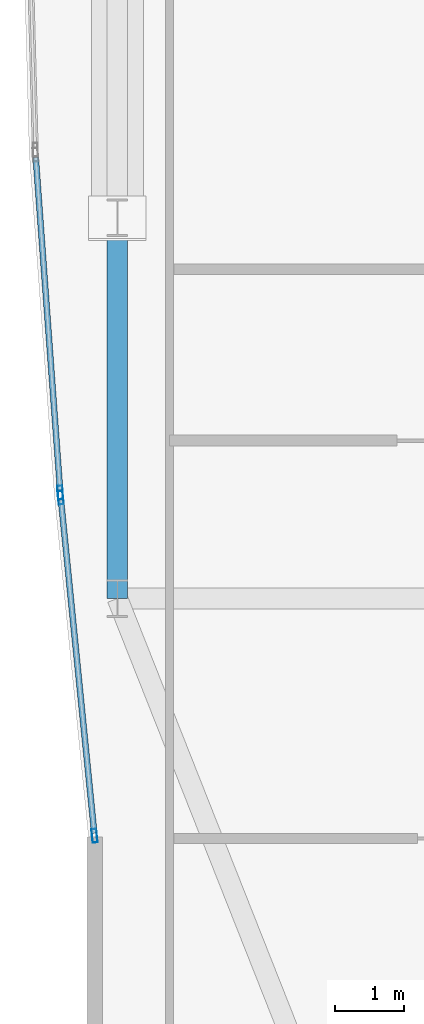
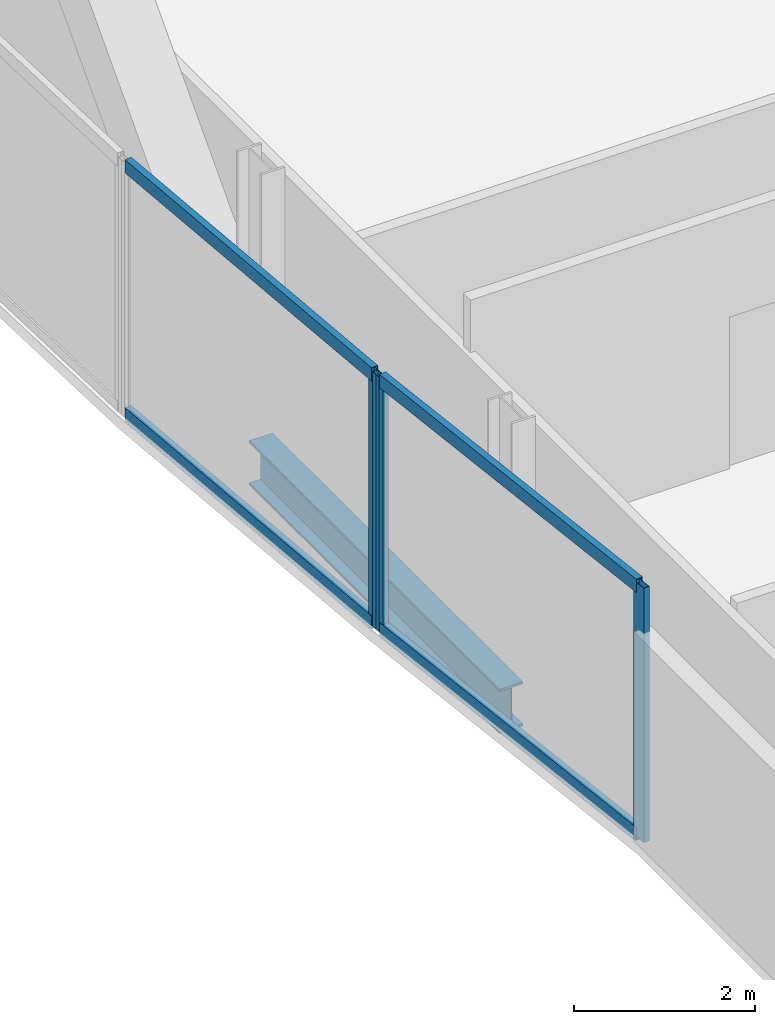
# One storey, part 6 of 31: 7 members, 1 beam, 2 elements without a shape of their own.
"""IFC4 building model written with IfcOpenShell, lengths in metres."""

from ifc_helpers import new_model, si_unit, direction, frame, origin, origin_2d, place, context, subcontext, project, spatial, hollow_rectangle, i_section, extrude, material, material_profile, profile_set, type_object, element, aggregate, save


model = new_model("IFC4")

# Units and contexts
model_context = context("Model", 3, precision=1e-05, world=origin(), true_north=direction((0.0, 1.0)))
body_context = subcontext(model_context, "Body", "Model", "MODEL_VIEW")
ifc_project = project(units=[si_unit("LENGTHUNIT", "METRE"), si_unit("AREAUNIT", "SQUARE_METRE"), si_unit("VOLUMEUNIT", "CUBIC_METRE"), si_unit("PLANEANGLEUNIT", "RADIAN"), si_unit("MASSUNIT", "GRAM", prefix="KILO")], contexts=[model_context])

# Site, building, storey
site_placement = place(None, origin())
site = spatial("IfcSite", under=ifc_project, at=site_placement, CompositionType="ELEMENT")
building_placement = place(site_placement, origin())
building = spatial("IfcBuilding", under=site, at=building_placement, Name="Khoronbel Lancet Exchange", CompositionType="ELEMENT")
storey_placement = place(building_placement, frame((0.0, 0.0, 129.0)))
storey = spatial("IfcBuildingStorey", under=building, at=storey_placement, Name="L31", CompositionType="ELEMENT", Elevation=129.0)

# Beam
ifc_material_1 = material(Name="Steel S355", Category="steel")
ifc_material_profile_1 = material_profile(ifc_material_1, i_section(OverallWidth=0.300048828125, OverallDepth=0.60009765625, WebThickness=0.015380859375, FlangeThickness=0.030029296875, at=origin_2d()), Name="HEB 600")
ifc_profile_set_1 = profile_set([ifc_material_profile_1], Name="Steel S355")
beam_type = type_object("IfcBeamType", Name="BM-BSP2", PredefinedType="SPANDREL", material=ifc_profile_set_1)
beam_placement = place(storey_placement, frame((3.27001953125, 24.75, -0.4599609375), z_axis=(0.0, -1.0, 0.0), x_axis=(1.0, 0.0, 0.0)))
element("IfcBeam", 1, at=beam_placement, inside=storey, type_object=beam_type, Name="Level L31 perimeter spandrel beam SP20", PredefinedType="SPANDREL", context=body_context, shape_type="SweptSolid", body=[
    extrude(i_section(OverallWidth=0.300048828125, OverallDepth=0.60009765625, WebThickness=0.015380859375, FlangeThickness=0.030029296875, at=origin_2d()), origin(), (0.0, 0.0, 1.0), 5.550048828125),
])

# Curtain wall, members
ifc_material_2 = material(Name="Low-E Solar Control Insulating Glass", Category="glass")
curtain_wall_type = type_object("IfcCurtainWallType", Name="CW-4", PredefinedType="NOTDEFINED", material=ifc_material_2)
curtain_wall_1_placement = place(storey_placement, origin())
curtain_wall_1 = element("IfcCurtainWall", 2, at=curtain_wall_1_placement, inside=storey, type_object=curtain_wall_type, Name="Unitised curtain wall CW-L31-E04", PredefinedType="NOTDEFINED")
ifc_material_3 = material(Name="Bronze-Anodised Aluminium 6063-T6", Category="aluminium")
ifc_material_profile_2 = material_profile(ifc_material_3, hollow_rectangle(XDim=0.074951171875, YDim=0.199951171875, WallThickness=0.0048828125, at=origin_2d()), Name="ALU MULLION 75x200")
ifc_profile_set_2 = profile_set([ifc_material_profile_2], Name="Bronze-Anodised Aluminium 6063-T6")
member_type_1 = type_object("IfcMemberType", Name="MEM-CWM2", PredefinedType="MULLION", material=ifc_profile_set_2)
member_1_placement = place(storey_placement, frame((2.936279296875, 15.74169921875, 0.0), z_axis=(0.0, 0.0, 1.0), x_axis=(-0.995037780914, -0.099497811805, 0.0)))
member_1 = element("IfcMember", 3, at=member_1_placement, type_object=member_type_1, Name="CW4 mullion 1", PredefinedType="MULLION", context=body_context, shape_type="SweptSolid", body=[
    extrude(hollow_rectangle(XDim=0.074951171875, YDim=0.199951171875, WallThickness=0.0048828125, at=origin_2d()), origin(), (0.0, 0.0, 1.0), 3.43994140625),
])
member_2_placement = place(storey_placement, frame((2.443359375, 20.67041015625, 0.0), z_axis=(0.0, 0.0, 1.0), x_axis=(-0.995037780914, -0.099497811805, 0.0)))
member_2 = element("IfcMember", 4, at=member_2_placement, type_object=member_type_1, Name="CW4 mullion 2", PredefinedType="MULLION", context=body_context, shape_type="SweptSolid", body=[
    extrude(hollow_rectangle(XDim=0.074951171875, YDim=0.199951171875, WallThickness=0.0048828125, at=origin_2d()), origin(), (0.0, 0.0, 1.0), 3.43994140625),
])

# Curtain wall, member
curtain_wall_2_placement = place(storey_placement, origin())
curtain_wall_2 = element("IfcCurtainWall", 5, at=curtain_wall_2_placement, inside=storey, type_object=curtain_wall_type, Name="Unitised curtain wall CW-L31-E05", PredefinedType="NOTDEFINED")
member_3_placement = place(storey_placement, frame((2.43701171875, 20.7451171875, 0.0), z_axis=(0.0, 0.0, 1.0), x_axis=(-0.997330994662, -0.073012924107, 0.0)))
member_3 = element("IfcMember", 6, at=member_3_placement, type_object=member_type_1, Name="CW4 mullion 1", PredefinedType="MULLION", context=body_context, shape_type="SweptSolid", body=[
    extrude(hollow_rectangle(XDim=0.074951171875, YDim=0.199951171875, WallThickness=0.0048828125, at=origin_2d()), origin(), (0.0, 0.0, 1.0), 3.43994140625),
])

# Member
ifc_material_profile_3 = material_profile(ifc_material_3, hollow_rectangle(XDim=0.0849609375, YDim=0.179931640625, WallThickness=0.0048828125, at=origin_2d()), Name="ALU TRANSOM 85x180")
ifc_profile_set_3 = profile_set([ifc_material_profile_3], Name="Bronze-Anodised Aluminium 6063-T6")
member_type_2 = type_object("IfcMemberType", Name="MEM-CWT1", PredefinedType="USERDEFINED", material=ifc_profile_set_3)
member_4_placement = place(storey_placement, frame((2.9326171875, 15.779052734375, 0.04248046875), z_axis=(-0.099493808682, 0.995038181194, 0.0), x_axis=(-0.995038181194, -0.099493808682, 0.0)))
member_4 = element("IfcMember", 7, at=member_4_placement, type_object=member_type_2, Name="CW4 transom 1.1", ObjectType="TRANSOM", PredefinedType="USERDEFINED", context=body_context, shape_type="SweptSolid", body=[
    extrude(hollow_rectangle(XDim=0.0849609375, YDim=0.179931640625, WallThickness=0.0048828125, at=origin_2d()), origin(), (0.0, 0.0, 1.0), 4.878173828125),
])

member_5_placement = place(storey_placement, frame((2.9326171875, 15.779052734375, 3.3974609375), z_axis=(-0.099493808682, 0.995038181194, 0.0), x_axis=(-0.995038181194, -0.099493808682, 0.0)))
member_5 = element("IfcMember", 8, at=member_5_placement, type_object=member_type_2, Name="CW4 transom 1.2", ObjectType="TRANSOM", PredefinedType="USERDEFINED", context=body_context, shape_type="SweptSolid", body=[
    extrude(hollow_rectangle(XDim=0.0849609375, YDim=0.179931640625, WallThickness=0.0048828125, at=origin_2d()), origin(), (0.0, 0.0, 1.0), 4.878173828125),
])

aggregate(curtain_wall_1, [member_1, member_2, member_4, member_5])

member_6_placement = place(storey_placement, frame((2.434326171875, 20.78271484375, 0.04248046875), z_axis=(-0.073042668586, 0.997328816673, 0.0), x_axis=(-0.997328816673, -0.073042668586, 0.0)))
member_6 = element("IfcMember", 9, at=member_6_placement, type_object=member_type_2, Name="CW4 transom 1.1", ObjectType="TRANSOM", PredefinedType="USERDEFINED", context=body_context, shape_type="SweptSolid", body=[
    extrude(hollow_rectangle(XDim=0.0849609375, YDim=0.179931640625, WallThickness=0.0048828125, at=origin_2d()), origin(), (0.0, 0.0, 1.0), 4.85986328125),
])

member_7_placement = place(storey_placement, frame((2.434326171875, 20.78271484375, 3.3974609375), z_axis=(-0.073042668586, 0.997328816673, 0.0), x_axis=(-0.997328816673, -0.073042668586, 0.0)))
member_7 = element("IfcMember", 10, at=member_7_placement, type_object=member_type_2, Name="CW4 transom 1.2", ObjectType="TRANSOM", PredefinedType="USERDEFINED", context=body_context, shape_type="SweptSolid", body=[
    extrude(hollow_rectangle(XDim=0.0849609375, YDim=0.179931640625, WallThickness=0.0048828125, at=origin_2d()), origin(), (0.0, 0.0, 1.0), 4.85986328125),
])

aggregate(curtain_wall_2, [member_3, member_6, member_7])

save(model, "model.ifc")
